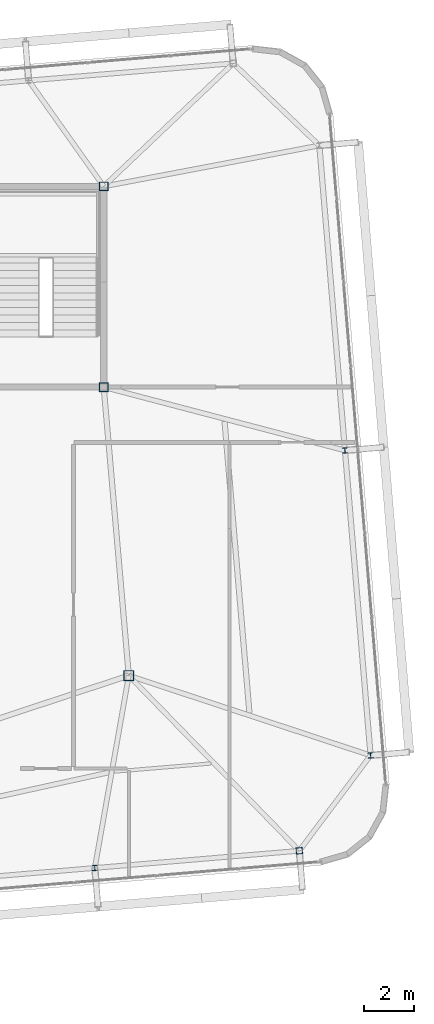
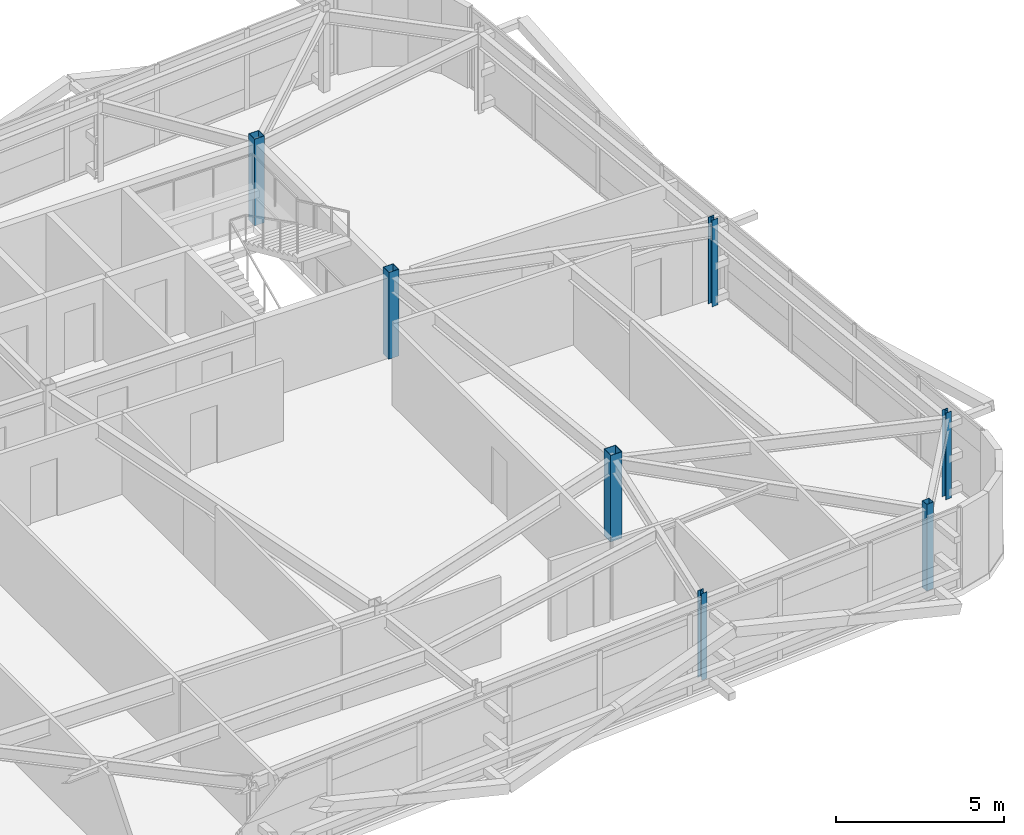
# One storey, part 4 of 46: 7 columns.
"""IFC4 building model written with IfcOpenShell, lengths in metres."""

from ifc_helpers import new_model, si_unit, direction, frame, origin, origin_2d, place, context, subcontext, project, spatial, hollow_rectangle, i_section, extrude, source, transform, mapped, material, material_profile, profile_set, type_object, element, save


model = new_model("IFC4")

# Units and contexts
model_context = context("Model", 3, precision=1e-05, world=origin(), true_north=direction((0.0, 1.0)))
body_context = subcontext(model_context, "Body", "Model", "MODEL_VIEW")
ifc_project = project(units=[si_unit("LENGTHUNIT", "METRE"), si_unit("AREAUNIT", "SQUARE_METRE"), si_unit("VOLUMEUNIT", "CUBIC_METRE"), si_unit("PLANEANGLEUNIT", "RADIAN"), si_unit("MASSUNIT", "GRAM", prefix="KILO")], contexts=[model_context])

# Site, building, storey
site_placement = place(None, origin())
site = spatial("IfcSite", under=ifc_project, at=site_placement, CompositionType="ELEMENT")
building_placement = place(site_placement, origin())
building = spatial("IfcBuilding", under=site, at=building_placement, Name="Taldren Reach Tower", CompositionType="ELEMENT")
storey_placement = place(building_placement, frame((0.0, 0.0, 194.60009765625)))
storey = spatial("IfcBuildingStorey", under=building, at=storey_placement, Name="L59", CompositionType="ELEMENT", Elevation=194.60009765625)

# Columns
ifc_material_1 = material(Name="Steel Gr 450 (C450L0)", Category="steel")
ifc_material_profile_1 = material_profile(ifc_material_1, hollow_rectangle(XDim=0.39990234375, YDim=0.39990234375, WallThickness=0.01611328125, at=origin_2d()), Name="400x400x16.0SHS")
ifc_profile_set_1 = profile_set([ifc_material_profile_1], Name="Steel Gr 450 (C450L0)")
column_type_1 = type_object("IfcColumnType", Name="COL-SHS400", PredefinedType="COLUMN", material=ifc_profile_set_1)
shared_shape_1 = source(origin(), body_context, "Body", "SweptSolid", [
    extrude(hollow_rectangle(XDim=0.39990234375, YDim=0.39990234375, WallThickness=0.01611328125, at=origin_2d()), origin(), (0.0, 0.0, 1.0), 3.14990234375),
])
column_1_placement = place(storey_placement, frame((52.0, 12.5, 0.0), z_axis=(0.0, 0.0, 1.0), x_axis=(1.0, 0.0, 0.0)))
element("IfcColumn", 1, at=column_1_placement, inside=storey, type_object=column_type_1, Name="Mega column MC-SE L59", PredefinedType="COLUMN", context=body_context, shape_type="MappedRepresentation", body=[
    mapped(shared_shape_1, transform((0.0, 0.0, 0.0), scale=1.0)),
])
ifc_material_profile_2 = material_profile(ifc_material_1, hollow_rectangle(XDim=0.35009765625, YDim=0.35009765625, WallThickness=0.01611328125, at=origin_2d()), Name="350x350x16.0SHS")
ifc_profile_set_2 = profile_set([ifc_material_profile_2], Name="Steel Gr 450 (C450L0)")
column_type_2 = type_object("IfcColumnType", Name="COL-SHS350", PredefinedType="COLUMN", material=ifc_profile_set_2)
shared_shape_2 = source(origin(), body_context, "Body", "SweptSolid", [
    extrude(hollow_rectangle(XDim=0.35009765625, YDim=0.35009765625, WallThickness=0.01611328125, at=origin_2d()), origin(), (0.0, 0.0, 1.0), 3.14990234375),
])
for number, where, z_axis, x_axis, name in (
    (2, (51.0, 24.0, 0.0), (0.0, 0.0, 1.0), (1.0, 0.0, 0.0), "Mega column MC-C4 L59"),
    (3, (51.0, 32.0, 0.0), (0.0, 0.0, 1.0), (1.0, 0.0, 0.0), "Mega column MC-C8 L59"),
):
    element("IfcColumn", number, at=place(storey_placement, frame(where, z_axis=z_axis, x_axis=x_axis)), inside=storey, type_object=column_type_2, Name=name, PredefinedType="COLUMN", context=body_context, shape_type="MappedRepresentation", body=[
        mapped(shared_shape_2, transform((0.0, 0.0, 0.0), scale=1.0)),
    ])
ifc_material_2 = material(Name="Steel Gr 350 (C350L0)", Category="steel")
ifc_material_profile_3 = material_profile(ifc_material_2, hollow_rectangle(XDim=0.25, YDim=0.25, WallThickness=0.010009765625, at=origin_2d()), Name="250x250x10.0SHS")
ifc_profile_set_3 = profile_set([ifc_material_profile_3], Name="Steel Gr 350 (C350L0)")
column_type_3 = type_object("IfcColumnType", Name="COL-SHS250", PredefinedType="COLUMN", material=ifc_profile_set_3)
shared_shape_3 = source(origin(), body_context, "Body", "SweptSolid", [
    extrude(hollow_rectangle(XDim=0.25, YDim=0.25, WallThickness=0.010009765625, at=origin_2d()), origin(), (0.0, 0.0, 1.0), 3.14990234375),
])
column_2_placement = place(storey_placement, frame((58.796142578125, 5.516357421875, 0.0), z_axis=(0.0, 0.0, 1.0), x_axis=(0.99649285925, 0.083677843332, 0.0)))
element("IfcColumn", 4, at=column_2_placement, inside=storey, type_object=column_type_3, Name="Block B4 perimeter column S6 L59", PredefinedType="COLUMN", context=body_context, shape_type="MappedRepresentation", body=[
    mapped(shared_shape_3, transform((0.0, 0.0, 0.0), scale=1.0)),
])
ifc_material_3 = material(Name="Steel Gr 350 (350PLUS)", Category="steel")
ifc_material_profile_4 = material_profile(ifc_material_3, i_section(OverallWidth=0.205078125, OverallDepth=0.2099609375, WebThickness=0.00927734375, FlangeThickness=0.01416015625, at=origin_2d()), Name="200UC59.5")
ifc_profile_set_4 = profile_set([ifc_material_profile_4], Name="Steel Gr 350 (350PLUS)")
column_type_4 = type_object("IfcColumnType", Name="COL-UC200", PredefinedType="COLUMN", material=ifc_profile_set_4)
shared_shape_4 = source(origin(), body_context, "Body", "SweptSolid", [
    extrude(i_section(OverallWidth=0.205078125, OverallDepth=0.2099609375, WebThickness=0.00927734375, FlangeThickness=0.01416015625, at=origin_2d()), origin(), (0.0, 0.0, 1.0), 3.14990234375),
])
for number, where, z_axis, x_axis, name in (
    (5, (50.644775390625, 4.83203125, 0.0), (0.0, 0.0, 1.0), (0.99649285925, 0.083677843332, 0.0), "Block B4 perimeter column S5 L59"),
    (6, (61.63818359375, 9.317626953125, 0.0), (0.0, 0.0, 1.0), (0.99649285925, 0.083677843332, 0.0), "Block B4 perimeter column E1 L59"),
    (7, (60.6171875, 21.474853515625, 0.0), (0.0, 0.0, 1.0), (0.99649285925, 0.083677843332, 0.0), "Block B4 perimeter column E2 L59"),
):
    element("IfcColumn", number, at=place(storey_placement, frame(where, z_axis=z_axis, x_axis=x_axis)), inside=storey, type_object=column_type_4, Name=name, PredefinedType="COLUMN", context=body_context, shape_type="MappedRepresentation", body=[
        mapped(shared_shape_4, transform((0.0, 0.0, 0.0), scale=1.0)),
    ])

save(model, "model.ifc")
